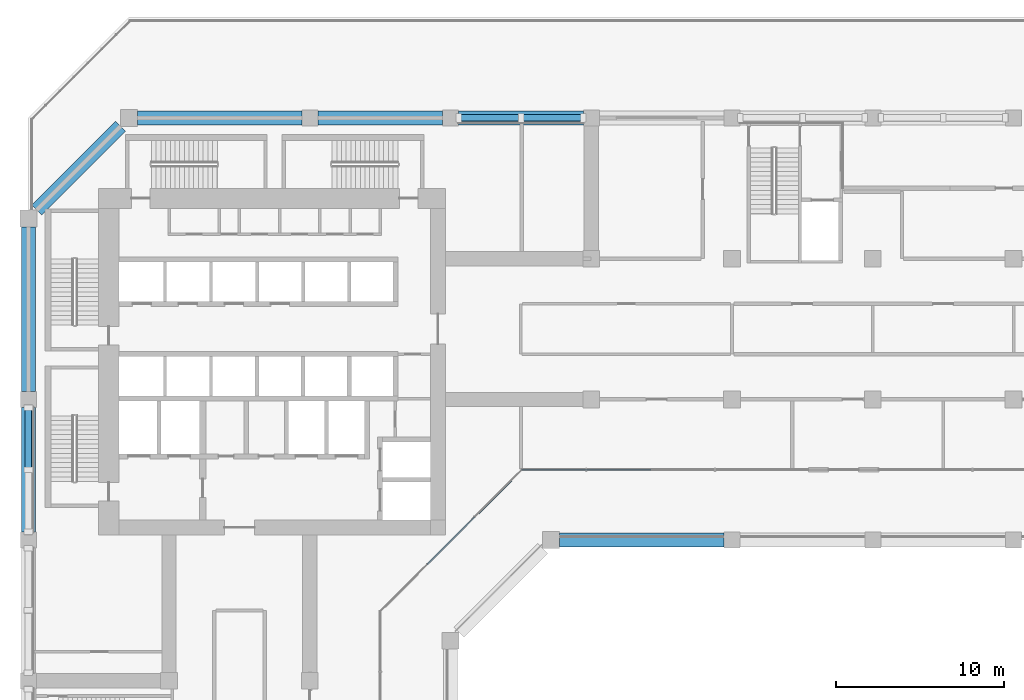
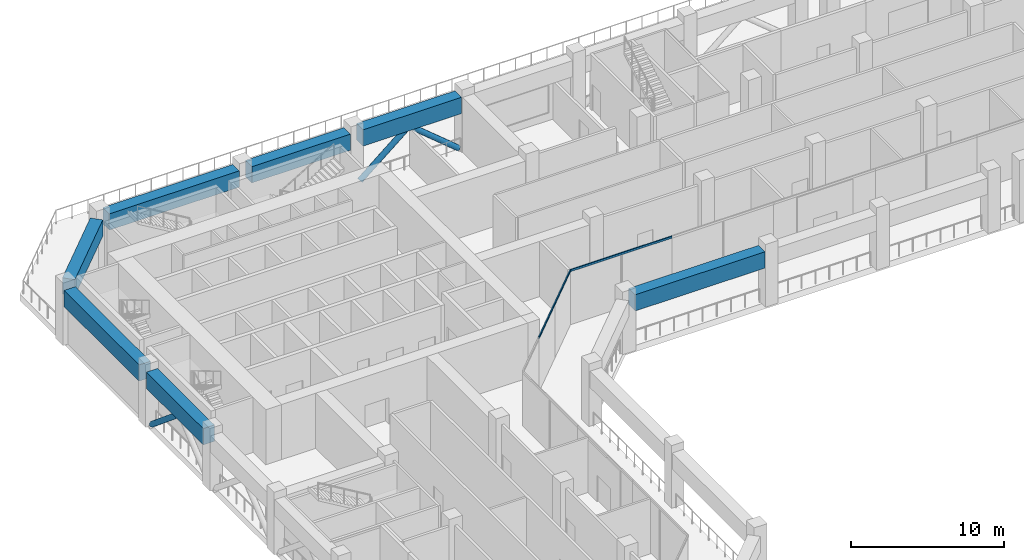
# One storey, part 3 of 19: 7 beams, 6 members, 2 elements without a shape of their own.
"""IFC4 building model written with IfcOpenShell, lengths in metres."""

from ifc_helpers import new_model, si_unit, direction, frame, origin, origin_2d, place, context, subcontext, project, spatial, rectangle, hollow_circle, extrude, material, layer, layer_set, material_profile, profile_set, type_object, element, aggregate, save


model = new_model("IFC4")

# Units and contexts
model_context = context("Model", 3, precision=1e-05, world=origin(), true_north=direction((0.0, 1.0)))
body_context = subcontext(model_context, "Body", "Model", "MODEL_VIEW")
ifc_project = project(units=[si_unit("LENGTHUNIT", "METRE"), si_unit("AREAUNIT", "SQUARE_METRE"), si_unit("VOLUMEUNIT", "CUBIC_METRE"), si_unit("PLANEANGLEUNIT", "RADIAN"), si_unit("MASSUNIT", "GRAM", prefix="KILO")], contexts=[model_context])

# Site, building, storey
site_placement = place(None, origin())
site = spatial("IfcSite", under=ifc_project, at=site_placement, CompositionType="ELEMENT")
building_placement = place(site_placement, origin())
building = spatial("IfcBuilding", under=site, at=building_placement, Name="Kawkab Arch Medical Tower", CompositionType="ELEMENT")
storey_placement = place(building_placement, frame((0.0, 0.0, 153.39990234375)))
storey = spatial("IfcBuildingStorey", under=building, at=storey_placement, Name="L35", CompositionType="ELEMENT", Elevation=153.39990234375)

# Members
ifc_material_1 = material(Name="Steel S355", Category="steel")
ifc_material_profile_1 = material_profile(ifc_material_1, hollow_circle(Radius=0.203125, WallThickness=0.02001953125, at=origin_2d()), Name="CHS 406.4x20")
ifc_profile_set_1 = profile_set([ifc_material_profile_1], Name="Steel S355")
member_type_1 = type_object("IfcMemberType", Name="CHS 406.4x20 belt truss brace S355", PredefinedType="BRACE", material=ifc_profile_set_1)
for number, where, z_axis, x_axis, name in (
    (1, (25.6904296875, 0.0, 0.10498046875), (0.769737883363, 0.0, 0.638360079357), (0.0, 1.0, 0.0), "Belt truss brace L35-N01A"),
    (2, (33.109619140625, 0.0, 0.10498046875), (-0.769737883363, 0.0, 0.638360079357), (0.0, -1.0, 0.0), "Belt truss brace L35-N01B"),
    (3, (0.0, -17.290283203125, 0.10498046875), (0.0, -0.769737883363, 0.638360079357), (1.0, 0.0, 0.0), "Belt truss brace L35-W06B"),
):
    element("IfcMember", number, at=place(storey_placement, frame(where, z_axis=z_axis, x_axis=x_axis)), inside=storey, type_object=member_type_1, Name=name, PredefinedType="BRACE", context=body_context, shape_type="SweptSolid", body=[
        extrude(hollow_circle(Radius=0.203125, WallThickness=0.02001953125, at=origin_2d()), origin(), (0.0, 0.0, 1.0), 4.809326171875),
    ])

# Curtain wall, members
ifc_material_2 = material(Name="Bronze anodised aluminium curtain wall frame", Category="aluminium")
ifc_layer = layer(ifc_material_2, 0.159912109375)
ifc_layer_set = layer_set([ifc_layer], Name="Bronze anodised aluminium curtain wall frame")
curtain_wall_type = type_object("IfcCurtainWallType", Name="CW4 refuge floor fire-protected glazing", PredefinedType="NOTDEFINED", material=ifc_layer_set)
placement = place(storey_placement, origin())
curtain_wall_1 = element("IfcCurtainWall", 4, at=placement, inside=storey, type_object=curtain_wall_type, Name="CW4 Refuge floor fire-protected glazing R10", PredefinedType="NOTDEFINED")
ifc_material_3 = material(Name="Bronze anodised aluminium curtain wall frame", Category="aluminium")
ifc_material_profile_2 = material_profile(ifc_material_3, rectangle(XDim=0.080078125, YDim=0.159912109375, at=origin_2d()), Name="AL 80x160")
ifc_profile_set_2 = profile_set([ifc_material_profile_2], Name="Bronze anodised aluminium curtain wall frame")
member_type_2 = type_object("IfcMemberType", Name="CW4 transom 160 x 80", PredefinedType="USERDEFINED", material=ifc_profile_set_2)
member_1_placement = place(storey_placement, frame((23.820068359375, -26.639892578125, 4.320068359375), z_axis=(0.707106781187, 0.707106781187, 0.0), x_axis=(-0.707106781187, 0.707106781187, 0.0)))
member_1 = element("IfcMember", 5, at=member_1_placement, type_object=member_type_2, Name="CW4 transom 2", ObjectType="TRANSOM", PredefinedType="USERDEFINED", context=body_context, shape_type="SweptSolid", body=[
    extrude(rectangle(XDim=0.080078125, YDim=0.159912109375, at=origin_2d()), origin(), (0.0, 0.0, 1.0), 3.98779296875),
])
member_2_placement = place(storey_placement, frame((26.639892578125, -23.820068359375, 4.320068359375), z_axis=(0.707106781187, 0.707106781187, 0.0), x_axis=(-0.707106781187, 0.707106781187, 0.0)))
member_2 = element("IfcMember", 6, at=member_2_placement, type_object=member_type_2, Name="CW4 transom 3", ObjectType="TRANSOM", PredefinedType="USERDEFINED", context=body_context, shape_type="SweptSolid", body=[
    extrude(rectangle(XDim=0.080078125, YDim=0.159912109375, at=origin_2d()), origin(), (0.0, 0.0, 1.0), 3.98828125),
])
aggregate(curtain_wall_1, [member_1, member_2])

# Curtain wall, member
curtain_wall_2 = element("IfcCurtainWall", 7, at=placement, inside=storey, type_object=curtain_wall_type, Name="CW4 Refuge floor fire-protected glazing R11", PredefinedType="NOTDEFINED")
member_3_placement = place(storey_placement, frame((29.4599609375, -21.0, 4.320068359375), z_axis=(1.0, 0.0, 0.0), x_axis=(0.0, 1.0, 0.0)))
member_3 = element("IfcMember", 8, at=member_3_placement, type_object=member_type_2, Name="CW4 transom 1", ObjectType="TRANSOM", PredefinedType="USERDEFINED", context=body_context, shape_type="SweptSolid", body=[
    extrude(rectangle(XDim=0.080078125, YDim=0.159912109375, at=origin_2d()), origin(), (0.0, 0.0, 1.0), 7.679931640625),
])
aggregate(curtain_wall_2, [member_3])

# Beams
ifc_material_4 = material(Name="Concrete C50/60", Category="concrete")
ifc_material_profile_3 = material_profile(ifc_material_4, rectangle(XDim=0.85009765625, YDim=1.300048828125, at=origin_2d()), Name="RC 850x1300")
ifc_profile_set_3 = profile_set([ifc_material_profile_3], Name="Concrete C50/60")
beam_type = type_object("IfcBeamType", Name="RC 850x1300 beam C50/60", PredefinedType="SPANDREL", material=ifc_profile_set_3)
beam_1_placement = place(storey_placement, frame((0.5, -5.5, 3.75), z_axis=(0.707106781187, 0.707106781187, 0.0), x_axis=(-0.707106781187, 0.707106781187, 0.0)))
element("IfcBeam", 9, at=beam_1_placement, inside=storey, type_object=beam_type, Name="Belt beam L35-01", PredefinedType="SPANDREL", context=body_context, shape_type="SweptSolid", body=[
    extrude(rectangle(XDim=0.85009765625, YDim=1.300048828125, at=origin_2d()), origin(), (0.0, 0.0, 1.0), 7.071044921875),
])
beam_2_placement = place(storey_placement, frame((6.5, 0.0, 3.75), z_axis=(1.0, 0.0, 0.0), x_axis=(0.0, 1.0, 0.0)))
element("IfcBeam", 10, at=beam_2_placement, inside=storey, type_object=beam_type, Name="Belt beam L35-02", PredefinedType="SPANDREL", context=body_context, shape_type="SweptSolid", body=[
    extrude(rectangle(XDim=0.85009765625, YDim=1.300048828125, at=origin_2d()), origin(), (0.0, 0.0, 1.0), 9.824951171875),
])
beam_3_placement = place(storey_placement, frame((17.27490234375, 0.0, 3.75), z_axis=(1.0, 0.0, 0.0), x_axis=(0.0, 1.0, 0.0)))
element("IfcBeam", 11, at=beam_3_placement, inside=storey, type_object=beam_type, Name="Belt beam L35-03", PredefinedType="SPANDREL", context=body_context, shape_type="SweptSolid", body=[
    extrude(rectangle(XDim=0.85009765625, YDim=1.300048828125, at=origin_2d()), origin(), (0.0, 0.0, 1.0), 7.4501953125),
])
beam_4_placement = place(storey_placement, frame((25.675048828125, 0.0, 3.75), z_axis=(1.0, 0.0, 0.0), x_axis=(0.0, 1.0, 0.0)))
element("IfcBeam", 12, at=beam_4_placement, inside=storey, type_object=beam_type, Name="Belt beam L35-04", PredefinedType="SPANDREL", context=body_context, shape_type="SweptSolid", body=[
    extrude(rectangle(XDim=0.85009765625, YDim=1.300048828125, at=origin_2d()), origin(), (0.0, 0.0, 1.0), 7.449951171875),
])
beam_5_placement = place(storey_placement, frame((41.52490234375, -25.199951171875, 3.75), z_axis=(-1.0, 0.0, 0.0), x_axis=(0.0, -1.0, 0.0)))
element("IfcBeam", 13, at=beam_5_placement, inside=storey, type_object=beam_type, Name="Belt beam L35-18", PredefinedType="SPANDREL", context=body_context, shape_type="SweptSolid", body=[
    extrude(rectangle(XDim=0.85009765625, YDim=1.300048828125, at=origin_2d()), origin(), (0.0, 0.0, 1.0), 9.824951171875),
])
beam_6_placement = place(storey_placement, frame((0.0, -24.72509765625, 3.75), z_axis=(0.0, 1.0, 0.0), x_axis=(-1.0, 0.0, 0.0)))
element("IfcBeam", 14, at=beam_6_placement, inside=storey, type_object=beam_type, Name="Belt beam L35-28", PredefinedType="SPANDREL", context=body_context, shape_type="SweptSolid", body=[
    extrude(rectangle(XDim=0.85009765625, YDim=1.300048828125, at=origin_2d()), origin(), (0.0, 0.0, 1.0), 7.4501953125),
])
beam_7_placement = place(storey_placement, frame((0.0, -16.324951171875, 3.75), z_axis=(0.0, 1.0, 0.0), x_axis=(-1.0, 0.0, 0.0)))
element("IfcBeam", 15, at=beam_7_placement, inside=storey, type_object=beam_type, Name="Belt beam L35-29", PredefinedType="SPANDREL", context=body_context, shape_type="SweptSolid", body=[
    extrude(rectangle(XDim=0.85009765625, YDim=1.300048828125, at=origin_2d()), origin(), (0.0, 0.0, 1.0), 9.824951171875),
])

save(model, "model.ifc")
